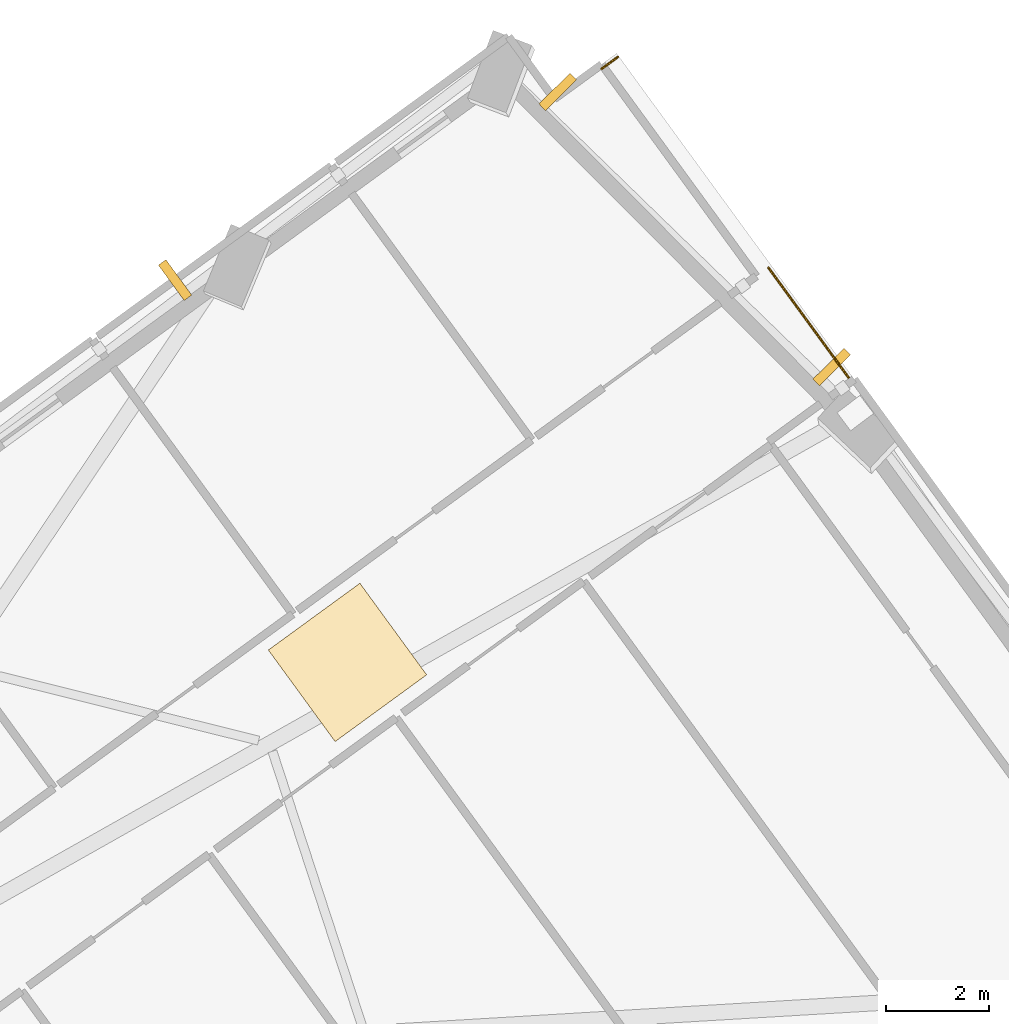
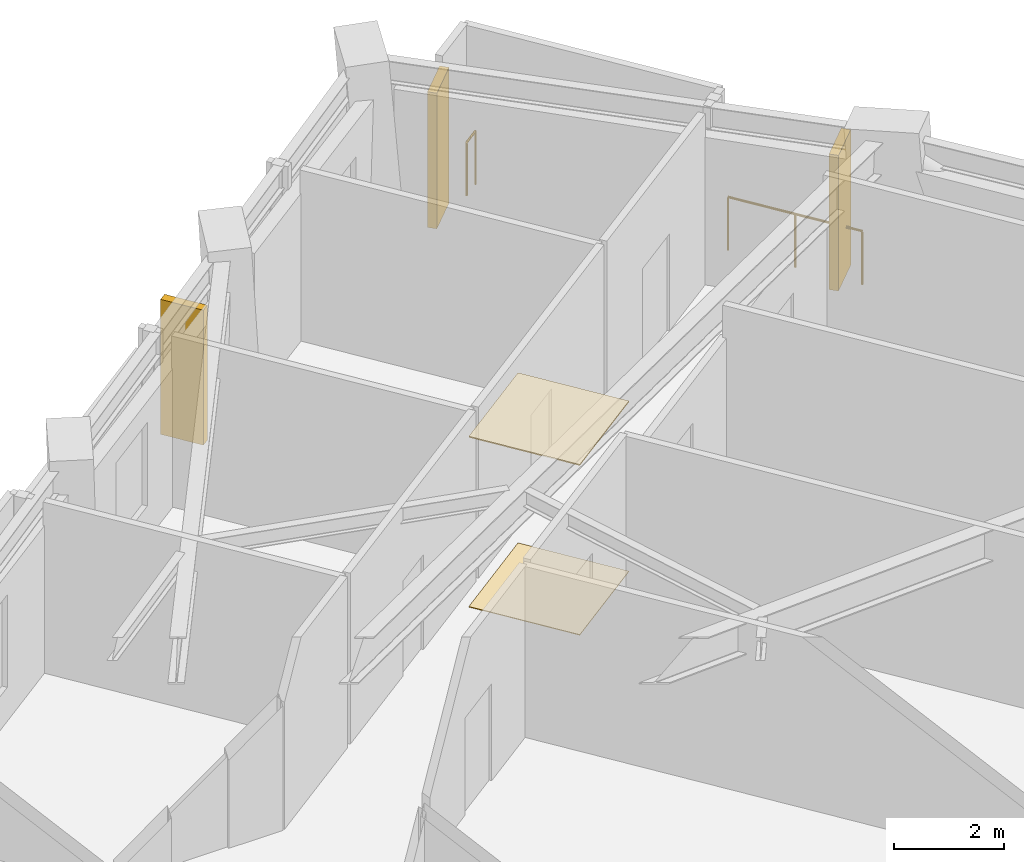
# One storey, part 14 of 14: 3 shading devices, 2 coverings, 2 railings.
"""IFC4 building model written with IfcOpenShell, lengths in metres."""

import ifcopenshell
import ifcopenshell.guid

model = None  # the IFC model being written
_history = None  # IfcOwnerHistory: only IFC2X3 demands one
_inside = {}  # id of a spatial element -> (the spatial element, [elements in it])
_under = {}  # id of a project, library or spatial element -> (it, [spatial elements below it])
_declared = {}  # id of a project -> (the project, [libraries it declares])
_typed = {}  # id of a type object -> (the type object, [elements of that type])
_made_of = {}  # id of a material, layer set ... -> (it, [elements and type objects made of it])


def new_model(schema):
    """Start an empty IFC model of exactly this schema.

    Asked for "IFC4X3", IfcOpenShell would pick the latest addendum, in which some entities
    have other attributes; the version numbers below select the first issue.
    IFC2X3 requires an IfcOwnerHistory on every rooted entity: one is made here for all.
    """
    global model, _history
    if schema == "IFC4X3":
        model = ifcopenshell.file(schema_version=(4, 3, 0, 0))
    else:
        model = ifcopenshell.file(schema=schema)
    _inside.clear()
    _under.clear()
    _declared.clear()
    _typed.clear()
    _made_of.clear()
    _history = None
    if model.schema == "IFC2X3":
        org = make("IfcOrganization", Name="unknown")
        user = make(
            "IfcPersonAndOrganization",
            ThePerson=make("IfcPerson", FamilyName="unknown"),
            TheOrganization=org,
        )
        app = make(
            "IfcApplication",
            ApplicationDeveloper=org,
            Version="unknown",
            ApplicationFullName="unknown",
            ApplicationIdentifier="unknown",
        )
        _history = make(
            "IfcOwnerHistory",
            OwningUser=user,
            OwningApplication=app,
            ChangeAction="ADDED",
            CreationDate=0,
        )
    return model


def make(cls, **values):
    """One entity of the class cls with the attributes given. An attribute that is None is left unset."""
    return model.create_entity(
        cls, **{name: value for name, value in values.items() if value is not None}
    )


def rooted(cls, **values):
    """An entity with a GlobalId (a new one), such as an element, a storey or a relation."""
    return make(cls, GlobalId=ifcopenshell.guid.new(), OwnerHistory=_history, **values)


def si_unit(unit_type, name, prefix=None):
    """IfcSIUnit, for example si_unit("LENGTHUNIT", "METRE", prefix="MILLI")."""
    return make("IfcSIUnit", UnitType=unit_type, Prefix=prefix, Name=name)


def assignment(units):
    """IfcUnitAssignment: the units of a project."""
    return None if units is None else make("IfcUnitAssignment", Units=units)


def point(xyz):
    """IfcCartesianPoint."""
    return None if xyz is None else make("IfcCartesianPoint", Coordinates=xyz)


def direction(xyz):
    """IfcDirection."""
    return None if xyz is None else make("IfcDirection", DirectionRatios=xyz)


def frame(location, z_axis=None, x_axis=None):
    """IfcAxis2Placement3D, a coordinate frame: its origin and axes. An axis left out is left unset."""
    return make(
        "IfcAxis2Placement3D",
        Location=point(location),
        Axis=direction(z_axis),
        RefDirection=direction(x_axis),
    )


def frame_2d(location, x_axis=None):
    """IfcAxis2Placement2D, a coordinate frame in the plane: its origin and x axis."""
    return make(
        "IfcAxis2Placement2D", Location=point(location), RefDirection=direction(x_axis)
    )


def origin():
    """The frame at (0, 0, 0) with its axes left unset."""
    return frame((0.0, 0.0, 0.0))


def origin_2d():
    """The frame at (0, 0) in the plane with its x axis left unset."""
    return frame_2d((0.0, 0.0))


def place(relative_to, where):
    """IfcLocalPlacement: puts the frame where relative to a parent placement (None: the world)."""
    return make(
        "IfcLocalPlacement", PlacementRelTo=relative_to, RelativePlacement=where
    )


def context(
    kind, dimensions, precision=None, world=None, true_north=None, identifier=None
):
    """IfcGeometricRepresentationContext, for example the 3D "Model" context."""
    return make(
        "IfcGeometricRepresentationContext",
        ContextIdentifier=identifier,
        ContextType=kind,
        CoordinateSpaceDimension=dimensions,
        Precision=precision,
        WorldCoordinateSystem=world,
        TrueNorth=true_north,
    )


def subcontext(parent, identifier, kind, view, scale=None):
    """IfcGeometricRepresentationSubContext, for example "Body" below "Model"."""
    return make(
        "IfcGeometricRepresentationSubContext",
        ContextIdentifier=identifier,
        ContextType=kind,
        ParentContext=parent,
        TargetScale=scale,
        TargetView=view,
    )


def project(units=None, contexts=None):
    """IfcProject with its units and contexts."""
    return rooted(
        "IfcProject",
        Name="project",
        RepresentationContexts=contexts,
        UnitsInContext=assignment(units),
    )


def spatial(cls, under=None, at=None, **own):
    """A site, building, storey or space (cls), placed at a placement, below another one or the project."""
    s = rooted(cls, ObjectPlacement=at, **own)
    if under is not None:
        _under.setdefault(under.id(), (under, []))[1].append(s)
    return s


def profile(cls, at=None, kind="AREA", **sizes):
    """A parametric profile (cls). Its sizes go by their IFC names, for example OverallWidth=200.0."""
    return make(cls, ProfileType=kind, Position=at, **sizes)


def rectangle(**sizes):
    """IfcRectangleProfileDef."""
    return profile("IfcRectangleProfileDef", **sizes)


def circle(**sizes):
    """IfcCircleProfileDef."""
    return profile("IfcCircleProfileDef", **sizes)


def extrude(swept, where, along, depth):
    """IfcExtrudedAreaSolid: the profile swept, set in the frame where, extruded along a direction by depth."""
    return make(
        "IfcExtrudedAreaSolid",
        SweptArea=swept,
        Position=where,
        ExtrudedDirection=direction(along),
        Depth=depth,
    )


def shape(context_of_items, identifier, shape_type, items):
    """IfcShapeRepresentation: the items that make up one representation, for example the "Body"."""
    return make(
        "IfcShapeRepresentation",
        ContextOfItems=context_of_items,
        RepresentationIdentifier=identifier,
        RepresentationType=shape_type,
        Items=items,
    )


def material(Name=None, Category=None):
    """IfcMaterial."""
    return make("IfcMaterial", Name=Name, Category=Category)


def layer(
    of_material, thickness, ventilated=None, Name=None, Category=None, Priority=None
):
    """IfcMaterialLayer: one layer of a wall or slab, of a material (None: an air gap)."""
    return make(
        "IfcMaterialLayer",
        Material=of_material,
        LayerThickness=thickness,
        IsVentilated=ventilated,
        Name=Name,
        Category=Category,
        Priority=Priority,
    )


def layer_set(layers, Name=None):
    """IfcMaterialLayerSet."""
    return make("IfcMaterialLayerSet", MaterialLayers=layers, LayerSetName=Name)


def made_of(thing, what):
    """Note that an element or type object is made of a material, layer set ...; save() writes the relation."""
    if what is not None:
        _made_of.setdefault(what.id(), (what, []))[1].append(thing)
    return thing


def type_object(cls, material=None, **own):
    """A type object (cls), such as IfcWallType, which elements share."""
    return made_of(rooted(cls, **own), material)


def element(
    cls,
    number,
    at=None,
    inside=None,
    cuts=None,
    type_object=None,
    material=None,
    context=None,
    identifier="Body",
    shape_type=None,
    held_by="IfcProductDefinitionShape",
    body=None,
    shapes=None,
    **own,
):
    """One element of the class cls, such as IfcWall. Its Tag is "e" and its number.

    at: its placement. inside: the storey or other place that contains it. cuts: it is an
    opening in that element (IfcRelVoidsElement). A single representation is given by context,
    identifier, shape_type and body (its items); several are given by shapes. held_by: the class
    of the entity that holds the representations. save() writes the other relations.
    """
    e = rooted(cls, Tag="e%d" % number, ObjectPlacement=at, **own)
    if body is not None:
        shapes = [shape(context, identifier, shape_type, body)]
    if shapes is not None:
        e.Representation = make(held_by, Representations=shapes)
    if inside is not None:
        _inside.setdefault(inside.id(), (inside, []))[1].append(e)
    if cuts is not None:
        rooted(
            "IfcRelVoidsElement", RelatingBuildingElement=cuts, RelatedOpeningElement=e
        )
    if type_object is not None:
        _typed.setdefault(type_object.id(), (type_object, []))[1].append(e)
    return made_of(e, material)


def aggregate(whole, parts):
    """IfcRelAggregates: a whole, such as a stair, and the parts it consists of."""
    return rooted("IfcRelAggregates", RelatingObject=whole, RelatedObjects=parts)


def save(model, path):
    """Write the relations noted so far, then the file.

    IfcRelAggregates (storeys below a building ...), IfcRelContainedInSpatialStructure (elements
    in a storey), IfcRelDefinesByType, IfcRelAssociatesMaterial and IfcRelDeclares: one each for
    every whole, place, type object, material and project.
    """
    for whole, parts in _under.values():
        aggregate(whole, parts)
    for where, things in _inside.values():
        rooted(
            "IfcRelContainedInSpatialStructure",
            RelatedElements=things,
            RelatingStructure=where,
        )
    for kind, things in _typed.values():
        rooted("IfcRelDefinesByType", RelatedObjects=things, RelatingType=kind)
    for what, things in _made_of.values():
        rooted("IfcRelAssociatesMaterial", RelatedObjects=things, RelatingMaterial=what)
    for by, libraries in _declared.values():
        rooted("IfcRelDeclares", RelatingContext=by, RelatedDefinitions=libraries)
    model.write(path)


model = new_model("IFC4")

# Units and contexts
model_context = context("Model", 3, precision=1e-05, world=origin(), true_north=direction((0.0, 1.0)))
body_context = subcontext(model_context, "Body", "Model", "MODEL_VIEW")
ifc_project = project(units=[si_unit("LENGTHUNIT", "METRE"), si_unit("AREAUNIT", "SQUARE_METRE"), si_unit("VOLUMEUNIT", "CUBIC_METRE"), si_unit("PLANEANGLEUNIT", "RADIAN"), si_unit("MASSUNIT", "GRAM", prefix="KILO")], contexts=[model_context])

# Site, building, storey
site_placement = place(None, origin())
site = spatial("IfcSite", under=ifc_project, at=site_placement, CompositionType="ELEMENT")
building_placement = place(site_placement, origin())
building = spatial("IfcBuilding", under=site, at=building_placement, Name="Gaonmaruhae Medical Tower", CompositionType="ELEMENT")
storey_placement = place(building_placement, frame((0.0, 0.0, 177.800048828125)))
storey = spatial("IfcBuildingStorey", under=building, at=storey_placement, Name="L42", CompositionType="ELEMENT", Elevation=177.800048828125)

# Coverings
ifc_material_1 = material(Name="Acoustic mineral ceiling tile", Category="finish")
ifc_layer_1 = layer(ifc_material_1, 0.02490234375)
ifc_layer_set_1 = layer_set([ifc_layer_1], Name="Acoustic mineral ceiling tile")
covering_type_1 = type_object("IfcCoveringType", Name="CLG-01 Antimicrobial Acoustic Mineral Ceiling", PredefinedType="CEILING", material=ifc_layer_set_1)
covering_1_placement = place(storey_placement, frame((48.475341796875, 24.787109375, 3.7548828125), z_axis=(0.0, 0.0, 1.0), x_axis=(0.807989883898, 0.589196357353, 0.0)))
element("IfcCovering", 1, at=covering_1_placement, inside=storey, type_object=covering_type_1, Name="L42 Clinical Corridor Acoustic Ceiling", PredefinedType="CEILING", context=body_context, shape_type="SweptSolid", body=[
    extrude(rectangle(XDim=2.199951171875, YDim=2.199951171875, at=origin_2d()), origin(), (0.0, 0.0, 1.0), 0.02490234375),
])
ifc_material_2 = material(Name="Seamless clinical vinyl flooring", Category="finish")
ifc_layer_2 = layer(ifc_material_2, 0.014892578125)
ifc_layer_set_2 = layer_set([ifc_layer_2], Name="Seamless clinical vinyl flooring")
covering_type_2 = type_object("IfcCoveringType", Name="FLR-01 Seamless Clinical Antistatic Vinyl Flooring", PredefinedType="FLOORING", material=ifc_layer_set_2)
covering_2_placement = place(storey_placement, frame((48.475341796875, 24.787109375, 0.00048828125), z_axis=(0.0, 0.0, 1.0), x_axis=(0.807989883898, 0.589196357353, 0.0)))
element("IfcCovering", 2, at=covering_2_placement, inside=storey, type_object=covering_type_2, Name="L42 Clinical Corridor Vinyl Flooring", PredefinedType="FLOORING", context=body_context, shape_type="SweptSolid", body=[
    extrude(rectangle(XDim=2.199951171875, YDim=2.199951171875, at=origin_2d()), origin(), (0.0, 0.0, 1.0), 0.014892578125),
])

# Railings
ifc_material_3 = material(Name="Stainless steel 316L and laminated safety glass", Category="steel")
ifc_layer_3 = layer(ifc_material_3, 0.080078125)
ifc_layer_set_3 = layer_set([ifc_layer_3], Name="Stainless steel 316L and laminated safety glass")
railing_type = type_object("IfcRailingType", Name="GD-120 Outdoor Terrace Safety Glass & Steel Balustrade", PredefinedType="BALUSTRADE", material=ifc_layer_set_3)
railing_1_placement = place(storey_placement, frame((53.40771484375, 36.310791015625, 0.0)))
element("IfcRailing", 3, at=railing_1_placement, inside=storey, type_object=railing_type, Name="L42 Perimeter Slab Edge Safety Balustrade 01", PredefinedType="BALUSTRADE", context=body_context, shape_type="SweptSolid", body=[
    extrude(circle(Radius=0.02392578125, at=origin_2d()), frame((0.0, 0.0, 1.17578125), z_axis=(0.80782288583, 0.589425300721, 0.0), x_axis=(-0.589425300721, 0.80782288583, 0.0)), (0.0, 0.0, 1.0), 0.3935546875),
    extrude(circle(Radius=0.02099609375, at=origin_2d()), origin(), (0.0, 0.0, 1.0), 1.15185546875),
    extrude(circle(Radius=0.02099609375, at=origin_2d()), frame((0.31787109375, 0.23193359375, 0.0)), (0.0, 0.0, 1.0), 1.15185546875),
])
railing_2_placement = place(storey_placement, frame((56.64794921875, 32.4501953125, 0.0)))
element("IfcRailing", 4, at=railing_2_placement, inside=storey, type_object=railing_type, Name="L42 Perimeter Slab Edge Safety Balustrade 02", PredefinedType="BALUSTRADE", context=body_context, shape_type="SweptSolid", body=[
    extrude(circle(Radius=0.02392578125, at=origin_2d()), frame((0.0, 0.0, 1.17578125), z_axis=(0.58919712295, -0.807989325615, 0.0), x_axis=(0.807989325615, 0.58919712295, 0.0)), (0.0, 0.0, 1.0), 2.66015625),
    extrude(circle(Radius=0.02099609375, at=origin_2d()), origin(), (0.0, 0.0, 1.0), 1.15185546875),
    extrude(circle(Radius=0.02099609375, at=origin_2d()), frame((0.78369140625, -1.07470703125, 0.0)), (0.0, 0.0, 1.0), 1.15185546875),
    extrude(circle(Radius=0.02099609375, at=origin_2d()), frame((1.5673828125, -2.1494140625, 0.0)), (0.0, 0.0, 1.0), 1.15185546875),
])

# Shading devices
ifc_material_4 = material(Name="Pigmented coral precast concrete C45/55", Category="concrete")
shading_device_type = type_object("IfcShadingDeviceType", Name="SD-FIN1 Tower Vertical Coral Precast Shading Fin", PredefinedType="USERDEFINED", material=ifc_material_4)
for number, where, z_axis, x_axis, name in (
    (5, (52.55712890625, 35.865966796875, 0.132568359375), (0.0, 0.0, 1.0), (0.705747931304, -0.708463024765, 0.0), "L42 Vertical Coral Precast Shading Fin E02"),
    (6, (57.876953125, 30.52587890625, 0.132568359375), (0.0, 0.0, 1.0), (0.705747931304, -0.708463024765, 0.0), "L42 Vertical Coral Precast Shading Fin E02B"),
):
    element("IfcShadingDevice", number, at=place(storey_placement, frame(where, z_axis=z_axis, x_axis=x_axis)), inside=storey, type_object=shading_device_type, Name=name, ObjectType="FIN", PredefinedType="USERDEFINED", context=body_context, shape_type="SweptSolid", body=[
        extrude(rectangle(XDim=0.179931640625, YDim=0.85009765625, at=origin_2d()), origin(), (0.0, 0.0, 1.0), 3.0),
    ])
shading_device_placement = place(storey_placement, frame((45.127197265625, 32.20947265625, 0.0400390625), z_axis=(0.0, 0.0, 1.0), x_axis=(0.808000167191, 0.58918225518, 0.0)))
element("IfcShadingDevice", 7, at=shading_device_placement, inside=storey, type_object=shading_device_type, Name="L42 Vertical Coral Precast Shading Fin EN01B", ObjectType="FIN", PredefinedType="USERDEFINED", context=body_context, shape_type="SweptSolid", body=[
    extrude(rectangle(XDim=0.179931640625, YDim=0.85009765625, at=origin_2d()), origin(), (0.0, 0.0, 1.0), 2.985107421875),
])

save(model, "model.ifc")
